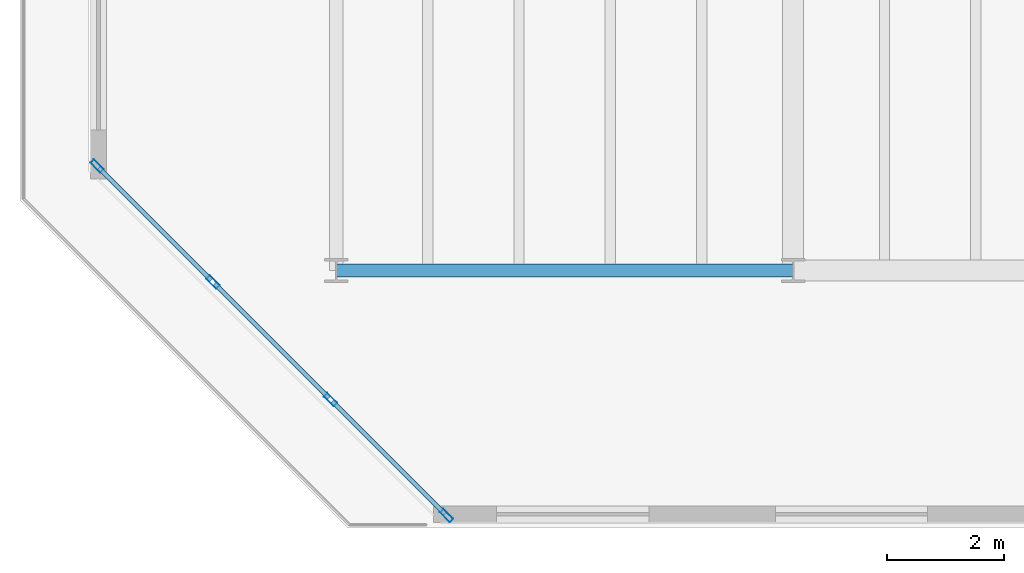
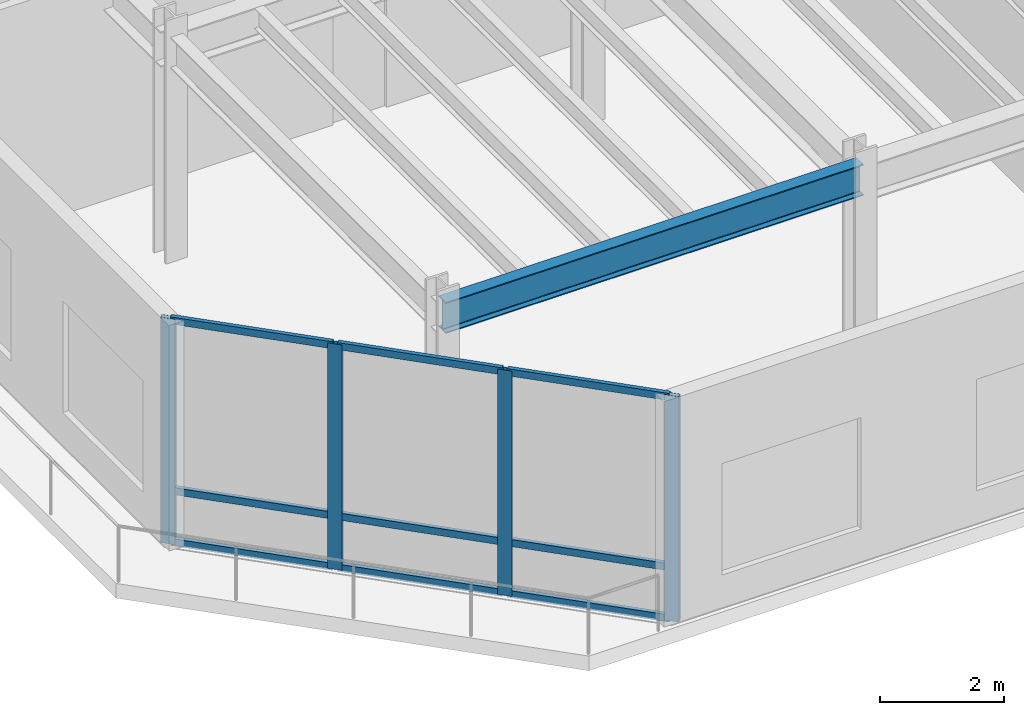
# One storey, part 2 of 12: 13 members, 1 beam, 1 element without a shape of its own.
"""IFC4 building model written with IfcOpenShell, lengths in metres."""

import ifcopenshell
import ifcopenshell.guid

model = None  # the IFC model being written
_history = None  # IfcOwnerHistory: only IFC2X3 demands one
_inside = {}  # id of a spatial element -> (the spatial element, [elements in it])
_under = {}  # id of a project, library or spatial element -> (it, [spatial elements below it])
_declared = {}  # id of a project -> (the project, [libraries it declares])
_typed = {}  # id of a type object -> (the type object, [elements of that type])
_made_of = {}  # id of a material, layer set ... -> (it, [elements and type objects made of it])


def new_model(schema):
    """Start an empty IFC model of exactly this schema.

    Asked for "IFC4X3", IfcOpenShell would pick the latest addendum, in which some entities
    have other attributes; the version numbers below select the first issue.
    IFC2X3 requires an IfcOwnerHistory on every rooted entity: one is made here for all.
    """
    global model, _history
    if schema == "IFC4X3":
        model = ifcopenshell.file(schema_version=(4, 3, 0, 0))
    else:
        model = ifcopenshell.file(schema=schema)
    _inside.clear()
    _under.clear()
    _declared.clear()
    _typed.clear()
    _made_of.clear()
    _history = None
    if model.schema == "IFC2X3":
        org = make("IfcOrganization", Name="unknown")
        user = make(
            "IfcPersonAndOrganization",
            ThePerson=make("IfcPerson", FamilyName="unknown"),
            TheOrganization=org,
        )
        app = make(
            "IfcApplication",
            ApplicationDeveloper=org,
            Version="unknown",
            ApplicationFullName="unknown",
            ApplicationIdentifier="unknown",
        )
        _history = make(
            "IfcOwnerHistory",
            OwningUser=user,
            OwningApplication=app,
            ChangeAction="ADDED",
            CreationDate=0,
        )
    return model


def make(cls, **values):
    """One entity of the class cls with the attributes given. An attribute that is None is left unset."""
    return model.create_entity(
        cls, **{name: value for name, value in values.items() if value is not None}
    )


def rooted(cls, **values):
    """An entity with a GlobalId (a new one), such as an element, a storey or a relation."""
    return make(cls, GlobalId=ifcopenshell.guid.new(), OwnerHistory=_history, **values)


def si_unit(unit_type, name, prefix=None):
    """IfcSIUnit, for example si_unit("LENGTHUNIT", "METRE", prefix="MILLI")."""
    return make("IfcSIUnit", UnitType=unit_type, Prefix=prefix, Name=name)


def assignment(units):
    """IfcUnitAssignment: the units of a project."""
    return None if units is None else make("IfcUnitAssignment", Units=units)


def point(xyz):
    """IfcCartesianPoint."""
    return None if xyz is None else make("IfcCartesianPoint", Coordinates=xyz)


def direction(xyz):
    """IfcDirection."""
    return None if xyz is None else make("IfcDirection", DirectionRatios=xyz)


def frame(location, z_axis=None, x_axis=None):
    """IfcAxis2Placement3D, a coordinate frame: its origin and axes. An axis left out is left unset."""
    return make(
        "IfcAxis2Placement3D",
        Location=point(location),
        Axis=direction(z_axis),
        RefDirection=direction(x_axis),
    )


def frame_2d(location, x_axis=None):
    """IfcAxis2Placement2D, a coordinate frame in the plane: its origin and x axis."""
    return make(
        "IfcAxis2Placement2D", Location=point(location), RefDirection=direction(x_axis)
    )


def origin():
    """The frame at (0, 0, 0) with its axes left unset."""
    return frame((0.0, 0.0, 0.0))


def origin_2d():
    """The frame at (0, 0) in the plane with its x axis left unset."""
    return frame_2d((0.0, 0.0))


def place(relative_to, where):
    """IfcLocalPlacement: puts the frame where relative to a parent placement (None: the world)."""
    return make(
        "IfcLocalPlacement", PlacementRelTo=relative_to, RelativePlacement=where
    )


def context(
    kind, dimensions, precision=None, world=None, true_north=None, identifier=None
):
    """IfcGeometricRepresentationContext, for example the 3D "Model" context."""
    return make(
        "IfcGeometricRepresentationContext",
        ContextIdentifier=identifier,
        ContextType=kind,
        CoordinateSpaceDimension=dimensions,
        Precision=precision,
        WorldCoordinateSystem=world,
        TrueNorth=true_north,
    )


def subcontext(parent, identifier, kind, view, scale=None):
    """IfcGeometricRepresentationSubContext, for example "Body" below "Model"."""
    return make(
        "IfcGeometricRepresentationSubContext",
        ContextIdentifier=identifier,
        ContextType=kind,
        ParentContext=parent,
        TargetScale=scale,
        TargetView=view,
    )


def project(units=None, contexts=None):
    """IfcProject with its units and contexts."""
    return rooted(
        "IfcProject",
        Name="project",
        RepresentationContexts=contexts,
        UnitsInContext=assignment(units),
    )


def spatial(cls, under=None, at=None, **own):
    """A site, building, storey or space (cls), placed at a placement, below another one or the project."""
    s = rooted(cls, ObjectPlacement=at, **own)
    if under is not None:
        _under.setdefault(under.id(), (under, []))[1].append(s)
    return s


def profile(cls, at=None, kind="AREA", **sizes):
    """A parametric profile (cls). Its sizes go by their IFC names, for example OverallWidth=200.0."""
    return make(cls, ProfileType=kind, Position=at, **sizes)


def hollow_rectangle(**sizes):
    """IfcRectangleHollowProfileDef."""
    return profile("IfcRectangleHollowProfileDef", **sizes)


def i_section(**sizes):
    """IfcIShapeProfileDef."""
    return profile("IfcIShapeProfileDef", **sizes)


def extrude(swept, where, along, depth):
    """IfcExtrudedAreaSolid: the profile swept, set in the frame where, extruded along a direction by depth."""
    return make(
        "IfcExtrudedAreaSolid",
        SweptArea=swept,
        Position=where,
        ExtrudedDirection=direction(along),
        Depth=depth,
    )


def shape(context_of_items, identifier, shape_type, items):
    """IfcShapeRepresentation: the items that make up one representation, for example the "Body"."""
    return make(
        "IfcShapeRepresentation",
        ContextOfItems=context_of_items,
        RepresentationIdentifier=identifier,
        RepresentationType=shape_type,
        Items=items,
    )


def material(Name=None, Category=None):
    """IfcMaterial."""
    return make("IfcMaterial", Name=Name, Category=Category)


def layer(
    of_material, thickness, ventilated=None, Name=None, Category=None, Priority=None
):
    """IfcMaterialLayer: one layer of a wall or slab, of a material (None: an air gap)."""
    return make(
        "IfcMaterialLayer",
        Material=of_material,
        LayerThickness=thickness,
        IsVentilated=ventilated,
        Name=Name,
        Category=Category,
        Priority=Priority,
    )


def layer_set(layers, Name=None):
    """IfcMaterialLayerSet."""
    return make("IfcMaterialLayerSet", MaterialLayers=layers, LayerSetName=Name)


def material_profile(
    of_material, cross_section, Name=None, Category=None, Priority=None
):
    """IfcMaterialProfile: a cross section and its material."""
    return make(
        "IfcMaterialProfile",
        Name=Name,
        Material=of_material,
        Profile=cross_section,
        Priority=Priority,
        Category=Category,
    )


def profile_set(profiles, Name=None, composite=None):
    """IfcMaterialProfileSet."""
    return make(
        "IfcMaterialProfileSet",
        Name=Name,
        MaterialProfiles=profiles,
        CompositeProfile=composite,
    )


def made_of(thing, what):
    """Note that an element or type object is made of a material, layer set ...; save() writes the relation."""
    if what is not None:
        _made_of.setdefault(what.id(), (what, []))[1].append(thing)
    return thing


def type_object(cls, material=None, **own):
    """A type object (cls), such as IfcWallType, which elements share."""
    return made_of(rooted(cls, **own), material)


def element(
    cls,
    number,
    at=None,
    inside=None,
    cuts=None,
    type_object=None,
    material=None,
    context=None,
    identifier="Body",
    shape_type=None,
    held_by="IfcProductDefinitionShape",
    body=None,
    shapes=None,
    **own,
):
    """One element of the class cls, such as IfcWall. Its Tag is "e" and its number.

    at: its placement. inside: the storey or other place that contains it. cuts: it is an
    opening in that element (IfcRelVoidsElement). A single representation is given by context,
    identifier, shape_type and body (its items); several are given by shapes. held_by: the class
    of the entity that holds the representations. save() writes the other relations.
    """
    e = rooted(cls, Tag="e%d" % number, ObjectPlacement=at, **own)
    if body is not None:
        shapes = [shape(context, identifier, shape_type, body)]
    if shapes is not None:
        e.Representation = make(held_by, Representations=shapes)
    if inside is not None:
        _inside.setdefault(inside.id(), (inside, []))[1].append(e)
    if cuts is not None:
        rooted(
            "IfcRelVoidsElement", RelatingBuildingElement=cuts, RelatedOpeningElement=e
        )
    if type_object is not None:
        _typed.setdefault(type_object.id(), (type_object, []))[1].append(e)
    return made_of(e, material)


def aggregate(whole, parts):
    """IfcRelAggregates: a whole, such as a stair, and the parts it consists of."""
    return rooted("IfcRelAggregates", RelatingObject=whole, RelatedObjects=parts)


def save(model, path):
    """Write the relations noted so far, then the file.

    IfcRelAggregates (storeys below a building ...), IfcRelContainedInSpatialStructure (elements
    in a storey), IfcRelDefinesByType, IfcRelAssociatesMaterial and IfcRelDeclares: one each for
    every whole, place, type object, material and project.
    """
    for whole, parts in _under.values():
        aggregate(whole, parts)
    for where, things in _inside.values():
        rooted(
            "IfcRelContainedInSpatialStructure",
            RelatedElements=things,
            RelatingStructure=where,
        )
    for kind, things in _typed.values():
        rooted("IfcRelDefinesByType", RelatedObjects=things, RelatingType=kind)
    for what, things in _made_of.values():
        rooted("IfcRelAssociatesMaterial", RelatedObjects=things, RelatingMaterial=what)
    for by, libraries in _declared.values():
        rooted("IfcRelDeclares", RelatingContext=by, RelatedDefinitions=libraries)
    model.write(path)


model = new_model("IFC4")

# Units and contexts
model_context = context("Model", 3, precision=1e-05, world=origin(), true_north=direction((0.0, 1.0)))
body_context = subcontext(model_context, "Body", "Model", "MODEL_VIEW")
ifc_project = project(units=[si_unit("LENGTHUNIT", "METRE"), si_unit("AREAUNIT", "SQUARE_METRE"), si_unit("VOLUMEUNIT", "CUBIC_METRE"), si_unit("PLANEANGLEUNIT", "RADIAN"), si_unit("MASSUNIT", "GRAM", prefix="KILO")], contexts=[model_context])

# Site, building, storey
site_placement = place(None, origin())
site = spatial("IfcSite", under=ifc_project, at=site_placement, CompositionType="ELEMENT")
building_placement = place(site_placement, origin())
building = spatial("IfcBuilding", under=site, at=building_placement, Name="Kestravale Grand Hotel", CompositionType="ELEMENT")
storey_placement = place(building_placement, frame((0.0, 0.0, 306.60009765625)))
storey = spatial("IfcBuildingStorey", under=building, at=storey_placement, Name="L76", CompositionType="ELEMENT", Elevation=306.60009765625)

# Beam
ifc_material_1 = material(Name="Steel ASTM A992 Grade 50", Category="steel")
ifc_material_profile_1 = material_profile(ifc_material_1, i_section(OverallWidth=0.22900390625, OverallDepth=0.612060546875, WebThickness=0.011962890625, FlangeThickness=0.01953125, FilletRadius=0.019287109375, at=origin_2d()))
ifc_profile_set_1 = profile_set([ifc_material_profile_1], Name="Steel ASTM A992 Grade 50")
beam_type = type_object("IfcBeamType", Name="B-FLR-W24B", PredefinedType="SPANDREL", material=ifc_profile_set_1)
beam_placement = place(storey_placement, frame((15.60009765625, 11.199951171875, 4.143798828125), z_axis=(1.0, 0.0, 0.0), x_axis=(0.0, 1.0, 0.0)))
element("IfcBeam", 1, at=beam_placement, inside=storey, type_object=beam_type, Name="L76 spandrel C:3-4", PredefinedType="SPANDREL", context=body_context, shape_type="SweptSolid", body=[
    extrude(i_section(OverallWidth=0.22900390625, OverallDepth=0.612060546875, WebThickness=0.011962890625, FlangeThickness=0.01953125, FilletRadius=0.019287109375, at=origin_2d()), origin(), (0.0, 0.0, 1.0), 7.7998046875),
])

# Curtain wall, members
ifc_material_2 = material(Name="Thermally broken champagne-bronze aluminium and low-E glazing", Category="aluminium")
ifc_layer = layer(ifc_material_2, 0.239990234375)
ifc_layer_set = layer_set([ifc_layer], Name="CW-OBS")
curtain_wall_type = type_object("IfcCurtainWallType", Name="CW-OBS", PredefinedType="NOTDEFINED", material=ifc_layer_set)
curtain_wall_placement = place(storey_placement, origin())
curtain_wall = element("IfcCurtainWall", 2, at=curtain_wall_placement, inside=storey, type_object=curtain_wall_type, Name="L76 unitised curtain wall 20", PredefinedType="NOTDEFINED")
ifc_material_3 = material(Name="Aluminium 6063-T6 anodised", Category="aluminium")
ifc_material_profile_2 = material_profile(ifc_material_3, hollow_rectangle(XDim=0.0849609375, YDim=0.239990234375, WallThickness=0.00439453125, at=origin_2d()))
ifc_profile_set_2 = profile_set([ifc_material_profile_2], Name="Aluminium 6063-T6 anodised")
member_type_1 = type_object("IfcMemberType", Name="CW-MUL-240", PredefinedType="MULLION", material=ifc_profile_set_2)
member_1_placement = place(storey_placement, frame((11.514892578125, 12.983154296875, 0.0), z_axis=(0.0, 0.0, 1.0), x_axis=(0.707106781187, 0.707106781187, 0.0)))
member_1 = element("IfcMember", 3, at=member_1_placement, type_object=member_type_1, Name="CW-OBS mullion 1", PredefinedType="MULLION", context=body_context, shape_type="SweptSolid", body=[
    extrude(hollow_rectangle(XDim=0.0849609375, YDim=0.239990234375, WallThickness=0.00439453125, at=origin_2d()), origin(), (0.0, 0.0, 1.0), 4.449951171875),
])
member_2_placement = place(storey_placement, frame((13.494384765625, 11.003662109375, 0.0), z_axis=(0.0, 0.0, 1.0), x_axis=(0.707106781187, 0.707106781187, 0.0)))
member_2 = element("IfcMember", 4, at=member_2_placement, type_object=member_type_1, Name="CW-OBS mullion 2", PredefinedType="MULLION", context=body_context, shape_type="SweptSolid", body=[
    extrude(hollow_rectangle(XDim=0.0849609375, YDim=0.239990234375, WallThickness=0.00439453125, at=origin_2d()), origin(), (0.0, 0.0, 1.0), 4.449951171875),
])
member_3_placement = place(storey_placement, frame((15.503662109375, 8.994384765625, 0.0), z_axis=(0.0, 0.0, 1.0), x_axis=(0.707106781187, 0.707106781187, 0.0)))
member_3 = element("IfcMember", 5, at=member_3_placement, type_object=member_type_1, Name="CW-OBS mullion 3", PredefinedType="MULLION", context=body_context, shape_type="SweptSolid", body=[
    extrude(hollow_rectangle(XDim=0.0849609375, YDim=0.239990234375, WallThickness=0.00439453125, at=origin_2d()), origin(), (0.0, 0.0, 1.0), 4.449951171875),
])
member_4_placement = place(storey_placement, frame((17.483154296875, 7.014892578125, 0.0), z_axis=(0.0, 0.0, 1.0), x_axis=(0.707106781187, 0.707106781187, 0.0)))
member_4 = element("IfcMember", 6, at=member_4_placement, type_object=member_type_1, Name="CW-OBS mullion 4", PredefinedType="MULLION", context=body_context, shape_type="SweptSolid", body=[
    extrude(hollow_rectangle(XDim=0.0849609375, YDim=0.239990234375, WallThickness=0.00439453125, at=origin_2d()), origin(), (0.0, 0.0, 1.0), 4.449951171875),
])
ifc_material_4 = material(Name="Aluminium 6063-T6 anodised", Category="aluminium")
ifc_material_profile_3 = material_profile(ifc_material_4, hollow_rectangle(XDim=0.074951171875, YDim=0.139892578125, WallThickness=0.00341796875, at=origin_2d()))
ifc_profile_set_3 = profile_set([ifc_material_profile_3], Name="Aluminium 6063-T6 anodised")
member_type_2 = type_object("IfcMemberType", Name="CW-TRN-140", PredefinedType="USERDEFINED", material=ifc_profile_set_3)
member_5_placement = place(storey_placement, frame((11.544921875, 12.953125, 0.037353515625), z_axis=(0.707061806992, -0.707151752521, 0.0), x_axis=(0.707151752521, 0.707061806992, 0.0)))
member_5 = element("IfcMember", 7, at=member_5_placement, type_object=member_type_2, Name="CW-OBS transom 1.1", ObjectType="TRANSOM", PredefinedType="USERDEFINED", context=body_context, shape_type="SweptSolid", body=[
    extrude(hollow_rectangle(XDim=0.074951171875, YDim=0.139892578125, WallThickness=0.00341796875, at=origin_2d()), origin(), (0.0, 0.0, 1.0), 2.71435546875),
])
member_6_placement = place(storey_placement, frame((11.544921875, 12.953125, 1.0498046875), z_axis=(0.707061806992, -0.707151752521, 0.0), x_axis=(0.707151752521, 0.707061806992, 0.0)))
member_6 = element("IfcMember", 8, at=member_6_placement, type_object=member_type_2, Name="CW-OBS transom 1.2", ObjectType="TRANSOM", PredefinedType="USERDEFINED", context=body_context, shape_type="SweptSolid", body=[
    extrude(hollow_rectangle(XDim=0.074951171875, YDim=0.139892578125, WallThickness=0.00341796875, at=origin_2d()), origin(), (0.0, 0.0, 1.0), 2.71435546875),
])
member_7_placement = place(storey_placement, frame((11.544921875, 12.953125, 4.412353515625), z_axis=(0.707061806992, -0.707151752521, 0.0), x_axis=(0.707151752521, 0.707061806992, 0.0)))
member_7 = element("IfcMember", 9, at=member_7_placement, type_object=member_type_2, Name="CW-OBS transom 1.3", ObjectType="TRANSOM", PredefinedType="USERDEFINED", context=body_context, shape_type="SweptSolid", body=[
    extrude(hollow_rectangle(XDim=0.074951171875, YDim=0.139892578125, WallThickness=0.00341796875, at=origin_2d()), origin(), (0.0, 0.0, 1.0), 2.71435546875),
])
member_8_placement = place(storey_placement, frame((13.5244140625, 10.9736328125, 0.037353515625), z_axis=(0.707106781187, -0.707106781187, 0.0), x_axis=(0.707106781187, 0.707106781187, 0.0)))
member_8 = element("IfcMember", 10, at=member_8_placement, type_object=member_type_2, Name="CW-OBS transom 2.1", ObjectType="TRANSOM", PredefinedType="USERDEFINED", context=body_context, shape_type="SweptSolid", body=[
    extrude(hollow_rectangle(XDim=0.074951171875, YDim=0.139892578125, WallThickness=0.00341796875, at=origin_2d()), origin(), (0.0, 0.0, 1.0), 2.756591796875),
])
member_9_placement = place(storey_placement, frame((13.5244140625, 10.9736328125, 1.0498046875), z_axis=(0.707106781187, -0.707106781187, 0.0), x_axis=(0.707106781187, 0.707106781187, 0.0)))
member_9 = element("IfcMember", 11, at=member_9_placement, type_object=member_type_2, Name="CW-OBS transom 2.2", ObjectType="TRANSOM", PredefinedType="USERDEFINED", context=body_context, shape_type="SweptSolid", body=[
    extrude(hollow_rectangle(XDim=0.074951171875, YDim=0.139892578125, WallThickness=0.00341796875, at=origin_2d()), origin(), (0.0, 0.0, 1.0), 2.756591796875),
])
member_10_placement = place(storey_placement, frame((13.5244140625, 10.9736328125, 4.412353515625), z_axis=(0.707106781187, -0.707106781187, 0.0), x_axis=(0.707106781187, 0.707106781187, 0.0)))
member_10 = element("IfcMember", 12, at=member_10_placement, type_object=member_type_2, Name="CW-OBS transom 2.3", ObjectType="TRANSOM", PredefinedType="USERDEFINED", context=body_context, shape_type="SweptSolid", body=[
    extrude(hollow_rectangle(XDim=0.074951171875, YDim=0.139892578125, WallThickness=0.00341796875, at=origin_2d()), origin(), (0.0, 0.0, 1.0), 2.756591796875),
])
member_11_placement = place(storey_placement, frame((15.53369140625, 8.964111328125, 0.037353515625), z_axis=(0.707151752521, -0.707061806992, 0.0), x_axis=(0.707061806992, 0.707151752521, 0.0)))
member_11 = element("IfcMember", 13, at=member_11_placement, type_object=member_type_2, Name="CW-OBS transom 3.1", ObjectType="TRANSOM", PredefinedType="USERDEFINED", context=body_context, shape_type="SweptSolid", body=[
    extrude(hollow_rectangle(XDim=0.074951171875, YDim=0.139892578125, WallThickness=0.00341796875, at=origin_2d()), origin(), (0.0, 0.0, 1.0), 2.71435546875),
])
member_12_placement = place(storey_placement, frame((15.53369140625, 8.964111328125, 1.0498046875), z_axis=(0.707151752521, -0.707061806992, 0.0), x_axis=(0.707061806992, 0.707151752521, 0.0)))
member_12 = element("IfcMember", 14, at=member_12_placement, type_object=member_type_2, Name="CW-OBS transom 3.2", ObjectType="TRANSOM", PredefinedType="USERDEFINED", context=body_context, shape_type="SweptSolid", body=[
    extrude(hollow_rectangle(XDim=0.074951171875, YDim=0.139892578125, WallThickness=0.00341796875, at=origin_2d()), origin(), (0.0, 0.0, 1.0), 2.71435546875),
])
member_13_placement = place(storey_placement, frame((15.53369140625, 8.964111328125, 4.412353515625), z_axis=(0.707151752521, -0.707061806992, 0.0), x_axis=(0.707061806992, 0.707151752521, 0.0)))
member_13 = element("IfcMember", 15, at=member_13_placement, type_object=member_type_2, Name="CW-OBS transom 3.3", ObjectType="TRANSOM", PredefinedType="USERDEFINED", context=body_context, shape_type="SweptSolid", body=[
    extrude(hollow_rectangle(XDim=0.074951171875, YDim=0.139892578125, WallThickness=0.00341796875, at=origin_2d()), origin(), (0.0, 0.0, 1.0), 2.71435546875),
])
aggregate(curtain_wall, [member_1, member_2, member_3, member_4, member_5, member_6, member_7, member_8, member_9, member_10, member_11, member_12, member_13])

save(model, "model.ifc")
